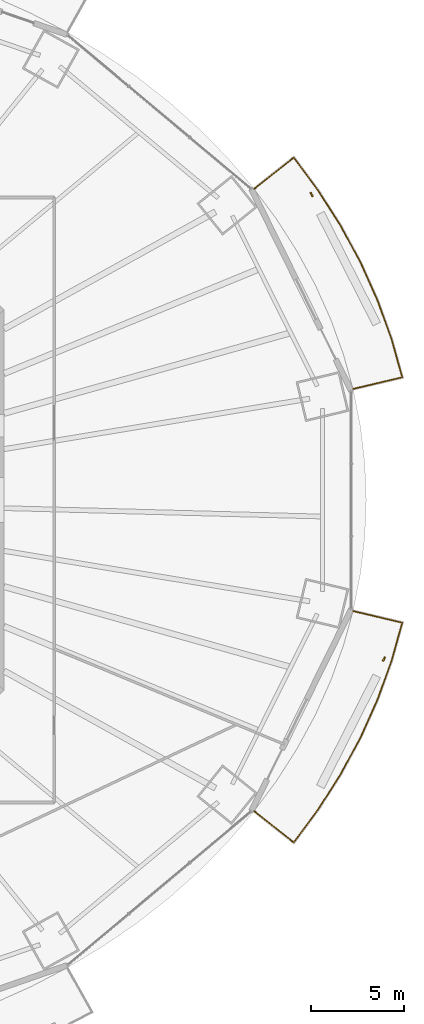
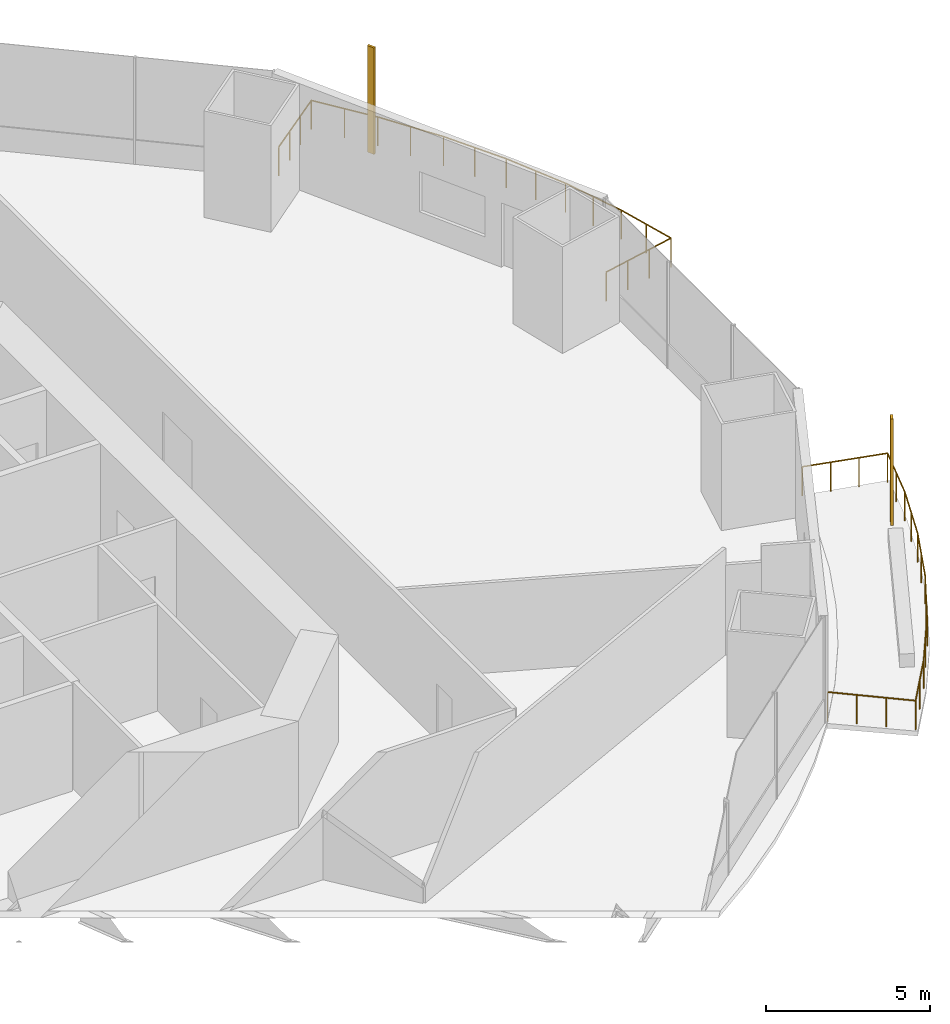
# One storey, part 22 of 23: 2 railings, 2 shading devices.
"""IFC4 building model written with IfcOpenShell, lengths in metres."""

from ifc_helpers import new_model, si_unit, direction, frame, origin, origin_2d, place, context, subcontext, project, spatial, rectangle, circle, extrude, material, material_profile, profile_set, type_object, element, save


model = new_model("IFC4")

# Units and contexts
model_context = context("Model", 3, precision=1e-05, world=origin(), true_north=direction((0.0, 1.0)))
body_context = subcontext(model_context, "Body", "Model", "MODEL_VIEW")
ifc_project = project(units=[si_unit("LENGTHUNIT", "METRE"), si_unit("AREAUNIT", "SQUARE_METRE"), si_unit("VOLUMEUNIT", "CUBIC_METRE"), si_unit("PLANEANGLEUNIT", "RADIAN"), si_unit("MASSUNIT", "GRAM", prefix="KILO")], contexts=[model_context])

# Site, building, storey
site_placement = place(None, origin())
site = spatial("IfcSite", under=ifc_project, at=site_placement, CompositionType="ELEMENT")
building_placement = place(site_placement, origin())
building = spatial("IfcBuilding", under=site, at=building_placement, Name="Marenthal Gate Tower", CompositionType="ELEMENT")
storey_placement = place(building_placement, frame((0.0, 0.0, 62.050048828125)))
storey = spatial("IfcBuildingStorey", under=building, at=storey_placement, Name="L11", CompositionType="ELEMENT", Elevation=62.050048828125)

# Railings
ifc_material_1 = material(Name="Stainless steel", Category="steel")
railing_type = type_object("IfcRailingType", Name="Balcony guard 1100", PredefinedType="GUARDRAIL", material=ifc_material_1)
railing_1_placement = place(storey_placement, frame((30.078369140625, 16.754150390625, 0.0)))
element("IfcRailing", 1, at=railing_1_placement, inside=storey, type_object=railing_type, Name="Balcony guard L11 bay 1", PredefinedType="GUARDRAIL", context=body_context, shape_type="SweptSolid", body=[
    extrude(circle(Radius=0.02392578125, at=origin_2d()), frame((0.0, 0.0, 1.076171875), z_axis=(0.782104673264, 0.6229732083, -0.014719436128), x_axis=(-0.623040706516, 0.782189413137, 0.0)), (0.0, 0.0, 1.0), 2.72021484375),
    extrude(circle(Radius=0.02392578125, at=origin_2d()), frame((2.12744140625, 1.694580078125, 1.0361328125), z_axis=(0.59484873049, -0.803837662613, 0.0), x_axis=(0.803837662613, 0.59484873049, 0.0)), (0.0, 0.0, 1.0), 2.204345703125),
    extrude(circle(Radius=0.02392578125, at=origin_2d()), frame((3.438720703125, -0.077392578125, 1.0361328125), z_axis=(0.537628198706, -0.843182020655, 0.0), x_axis=(0.843182020655, 0.537628198706, 0.0)), (0.0, 0.0, 1.0), 2.26611328125),
    extrude(circle(Radius=0.02392578125, at=origin_2d()), frame((4.656982421875, -1.988037109375, 1.0361328125), z_axis=(0.475471623431, -0.879731058513, 0.0), x_axis=(0.879731058513, 0.475471623431, 0.0)), (0.0, 0.0, 1.0), 2.2490234375),
    extrude(circle(Radius=0.02392578125, at=origin_2d()), frame((5.726318359375, -3.966552734375, 1.0361328125), z_axis=(0.40966465878, -0.912236190549, 0.0), x_axis=(0.912236190549, 0.40966465878, 0.0)), (0.0, 0.0, 1.0), 2.233642578125),
    extrude(circle(Radius=0.02392578125, at=origin_2d()), frame((6.641357421875, -6.004150390625, 1.0361328125), z_axis=(0.340268465621, -0.94032833165, 0.0), x_axis=(0.94032833165, 0.340268465621, 0.0)), (0.0, 0.0, 1.0), 2.220703125),
    extrude(circle(Radius=0.02392578125, at=origin_2d()), frame((7.39697265625, -8.09228515625, 1.0361328125), z_axis=(0.269464118276, -0.96301043035, 0.0), x_axis=(0.96301043035, 0.269464118276, 0.0)), (0.0, 0.0, 1.0), 2.130126953125),
    extrude(circle(Radius=0.02392578125, at=origin_2d()), frame((7.970947265625, -10.1435546875, 1.0361328125), z_axis=(-0.972926666051, -0.23064491576, 0.014718196959), x_axis=(0.230669901584, -0.973032063451, 0.0)), (0.0, 0.0, 1.0), 2.720458984375),
    extrude(circle(Radius=0.02099609375, at=origin_2d()), origin(), (0.0, 0.0, 1.0), 1.052001953125),
    extrude(circle(Radius=0.02099609375, at=origin_2d()), frame((0.709228515625, 0.56494140625, -0.013427734375)), (0.0, 0.0, 1.0), 1.052001953125),
    extrude(circle(Radius=0.02099609375, at=origin_2d()), frame((1.418212890625, 1.129638671875, -0.026611328125)), (0.0, 0.0, 1.0), 1.052001953125),
    extrude(circle(Radius=0.02099609375, at=origin_2d()), frame((2.12744140625, 1.694580078125, -0.0400390625)), (0.0, 0.0, 1.0), 1.052001953125),
    extrude(circle(Radius=0.02099609375, at=origin_2d()), frame((2.783203125, 0.80859375, -0.0400390625)), (0.0, 0.0, 1.0), 1.052001953125),
    extrude(circle(Radius=0.02099609375, at=origin_2d()), frame((3.438720703125, -0.077392578125, -0.0400390625)), (0.0, 0.0, 1.0), 1.052001953125),
    extrude(circle(Radius=0.02099609375, at=origin_2d()), frame((4.0478515625, -1.03271484375, -0.0400390625)), (0.0, 0.0, 1.0), 1.052001953125),
    extrude(circle(Radius=0.02099609375, at=origin_2d()), frame((4.656982421875, -1.988037109375, -0.0400390625)), (0.0, 0.0, 1.0), 1.052001953125),
    extrude(circle(Radius=0.02099609375, at=origin_2d()), frame((5.191650390625, -2.977294921875, -0.0400390625)), (0.0, 0.0, 1.0), 1.052001953125),
    extrude(circle(Radius=0.02099609375, at=origin_2d()), frame((5.726318359375, -3.966552734375, -0.0400390625)), (0.0, 0.0, 1.0), 1.052001953125),
    extrude(circle(Radius=0.02099609375, at=origin_2d()), frame((6.183837890625, -4.9853515625, -0.0400390625)), (0.0, 0.0, 1.0), 1.052001953125),
    extrude(circle(Radius=0.02099609375, at=origin_2d()), frame((6.641357421875, -6.004150390625, -0.0400390625)), (0.0, 0.0, 1.0), 1.052001953125),
    extrude(circle(Radius=0.02099609375, at=origin_2d()), frame((7.01904296875, -7.04833984375, -0.0400390625)), (0.0, 0.0, 1.0), 1.052001953125),
    extrude(circle(Radius=0.02099609375, at=origin_2d()), frame((7.39697265625, -8.09228515625, -0.0400390625)), (0.0, 0.0, 1.0), 1.052001953125),
    extrude(circle(Radius=0.02099609375, at=origin_2d()), frame((7.68408203125, -9.117919921875, -0.0400390625)), (0.0, 0.0, 1.0), 1.052001953125),
    extrude(circle(Radius=0.02099609375, at=origin_2d()), frame((7.970947265625, -10.1435546875, -0.0400390625)), (0.0, 0.0, 1.0), 1.052001953125),
    extrude(circle(Radius=0.02099609375, at=origin_2d()), frame((7.088623046875, -10.352783203125, -0.026611328125)), (0.0, 0.0, 1.0), 1.052001953125),
    extrude(circle(Radius=0.02099609375, at=origin_2d()), frame((6.20654296875, -10.561767578125, -0.013427734375)), (0.0, 0.0, 1.0), 1.052001953125),
    extrude(circle(Radius=0.02099609375, at=origin_2d()), frame((5.32421875, -10.77099609375, 0.0)), (0.0, 0.0, 1.0), 1.052001953125),
])
railing_2_placement = place(storey_placement, frame((35.402587890625, -5.983154296875, 0.0)))
element("IfcRailing", 2, at=railing_2_placement, inside=storey, type_object=railing_type, Name="Balcony guard L11 bay 15", PredefinedType="GUARDRAIL", context=body_context, shape_type="SweptSolid", body=[
    extrude(circle(Radius=0.02392578125, at=origin_2d()), frame((0.0, 0.0, 1.076171875), z_axis=(0.972926666051, -0.23064491576, -0.014718196959), x_axis=(0.230669901584, 0.973032063451, 0.0)), (0.0, 0.0, 1.0), 2.720458984375),
    extrude(circle(Radius=0.02392578125, at=origin_2d()), frame((2.646728515625, -0.62744140625, 1.0361328125), z_axis=(-0.269464118276, -0.96301043035, 0.0), x_axis=(0.96301043035, -0.269464118276, 0.0)), (0.0, 0.0, 1.0), 2.130126953125),
    extrude(circle(Radius=0.02392578125, at=origin_2d()), frame((2.07275390625, -2.6787109375, 1.0361328125), z_axis=(-0.340268465621, -0.94032833165, 0.0), x_axis=(0.94032833165, -0.340268465621, 0.0)), (0.0, 0.0, 1.0), 2.220703125),
    extrude(circle(Radius=0.02392578125, at=origin_2d()), frame((1.317138671875, -4.766845703125, 1.0361328125), z_axis=(-0.40966465878, -0.912236190549, 0.0), x_axis=(0.912236190549, -0.40966465878, 0.0)), (0.0, 0.0, 1.0), 2.233642578125),
    extrude(circle(Radius=0.02392578125, at=origin_2d()), frame((0.402099609375, -6.804443359375, 1.0361328125), z_axis=(-0.475471623431, -0.879731058513, 0.0), x_axis=(0.879731058513, -0.475471623431, 0.0)), (0.0, 0.0, 1.0), 2.2490234375),
    extrude(circle(Radius=0.02392578125, at=origin_2d()), frame((-0.667236328125, -8.782958984375, 1.0361328125), z_axis=(-0.537628198706, -0.843182020655, 0.0), x_axis=(0.843182020655, -0.537628198706, 0.0)), (0.0, 0.0, 1.0), 2.26611328125),
    extrude(circle(Radius=0.02392578125, at=origin_2d()), frame((-1.885498046875, -10.693603515625, 1.0361328125), z_axis=(-0.59484873049, -0.803837662613, 0.0), x_axis=(0.803837662613, -0.59484873049, 0.0)), (0.0, 0.0, 1.0), 2.204345703125),
    extrude(circle(Radius=0.02392578125, at=origin_2d()), frame((-3.19677734375, -12.465576171875, 1.0361328125), z_axis=(-0.782104673264, 0.6229732083, 0.014719436128), x_axis=(-0.623040706516, -0.782189413137, 0.0)), (0.0, 0.0, 1.0), 2.72021484375),
    extrude(circle(Radius=0.02099609375, at=origin_2d()), origin(), (0.0, 0.0, 1.0), 1.052001953125),
    extrude(circle(Radius=0.02099609375, at=origin_2d()), frame((0.88232421875, -0.209228515625, -0.013427734375)), (0.0, 0.0, 1.0), 1.052001953125),
    extrude(circle(Radius=0.02099609375, at=origin_2d()), frame((1.764404296875, -0.418212890625, -0.026611328125)), (0.0, 0.0, 1.0), 1.052001953125),
    extrude(circle(Radius=0.02099609375, at=origin_2d()), frame((2.646728515625, -0.62744140625, -0.0400390625)), (0.0, 0.0, 1.0), 1.052001953125),
    extrude(circle(Radius=0.02099609375, at=origin_2d()), frame((2.35986328125, -1.653076171875, -0.0400390625)), (0.0, 0.0, 1.0), 1.052001953125),
    extrude(circle(Radius=0.02099609375, at=origin_2d()), frame((2.07275390625, -2.6787109375, -0.0400390625)), (0.0, 0.0, 1.0), 1.052001953125),
    extrude(circle(Radius=0.02099609375, at=origin_2d()), frame((1.69482421875, -3.72265625, -0.0400390625)), (0.0, 0.0, 1.0), 1.052001953125),
    extrude(circle(Radius=0.02099609375, at=origin_2d()), frame((1.317138671875, -4.766845703125, -0.0400390625)), (0.0, 0.0, 1.0), 1.052001953125),
    extrude(circle(Radius=0.02099609375, at=origin_2d()), frame((0.859619140625, -5.78564453125, -0.0400390625)), (0.0, 0.0, 1.0), 1.052001953125),
    extrude(circle(Radius=0.02099609375, at=origin_2d()), frame((0.402099609375, -6.804443359375, -0.0400390625)), (0.0, 0.0, 1.0), 1.052001953125),
    extrude(circle(Radius=0.02099609375, at=origin_2d()), frame((-0.132568359375, -7.793701171875, -0.0400390625)), (0.0, 0.0, 1.0), 1.052001953125),
    extrude(circle(Radius=0.02099609375, at=origin_2d()), frame((-0.667236328125, -8.782958984375, -0.0400390625)), (0.0, 0.0, 1.0), 1.052001953125),
    extrude(circle(Radius=0.02099609375, at=origin_2d()), frame((-1.2763671875, -9.73828125, -0.0400390625)), (0.0, 0.0, 1.0), 1.052001953125),
    extrude(circle(Radius=0.02099609375, at=origin_2d()), frame((-1.885498046875, -10.693603515625, -0.0400390625)), (0.0, 0.0, 1.0), 1.052001953125),
    extrude(circle(Radius=0.02099609375, at=origin_2d()), frame((-2.541015625, -11.57958984375, -0.0400390625)), (0.0, 0.0, 1.0), 1.052001953125),
    extrude(circle(Radius=0.02099609375, at=origin_2d()), frame((-3.19677734375, -12.465576171875, -0.0400390625)), (0.0, 0.0, 1.0), 1.052001953125),
    extrude(circle(Radius=0.02099609375, at=origin_2d()), frame((-3.906005859375, -11.900634765625, -0.026611328125)), (0.0, 0.0, 1.0), 1.052001953125),
    extrude(circle(Radius=0.02099609375, at=origin_2d()), frame((-4.614990234375, -11.3359375, -0.013427734375)), (0.0, 0.0, 1.0), 1.052001953125),
    extrude(circle(Radius=0.02099609375, at=origin_2d()), frame((-5.32421875, -10.77099609375, 0.0)), (0.0, 0.0, 1.0), 1.052001953125),
])

# Shading devices
ifc_material_2 = material(Name="Terracotta", Category="masonry")
ifc_material_profile = material_profile(ifc_material_2, rectangle(XDim=0.25, YDim=0.080078125, at=origin_2d()), Name="Terracotta baguette 250x80")
ifc_profile_set = profile_set([ifc_material_profile], Name="Terracotta")
shading_device_type = type_object("IfcShadingDeviceType", Name="Terracotta BAGUETTE SCREEN 250x80", PredefinedType="USERDEFINED", material=ifc_profile_set)
for number, where, z_axis, x_axis, name in (
    (3, (33.17041015625, 16.453125, -0.0400390625), (0.0, 0.0, 1.0), (-0.442993196296, 0.896524973459, 0.0), "Terracotta BAGUETTE L11 bay 1R"),
    (4, (37.06591796875, -8.569580078125, -0.0400390625), (0.0, 0.0, 1.0), (0.442993196296, 0.896524973459, 0.0), "Terracotta BAGUETTE L11 bay 15R"),
):
    element("IfcShadingDevice", number, at=place(storey_placement, frame(where, z_axis=z_axis, x_axis=x_axis)), inside=storey, type_object=shading_device_type, Name=name, ObjectType="BAGUETTE SCREEN", PredefinedType="USERDEFINED", context=body_context, shape_type="SweptSolid", body=[
        extrude(rectangle(XDim=0.25, YDim=0.080078125, at=origin_2d()), origin(), (0.0, 0.0, 1.0), 3.969970703125),
    ])

save(model, "model.ifc")
